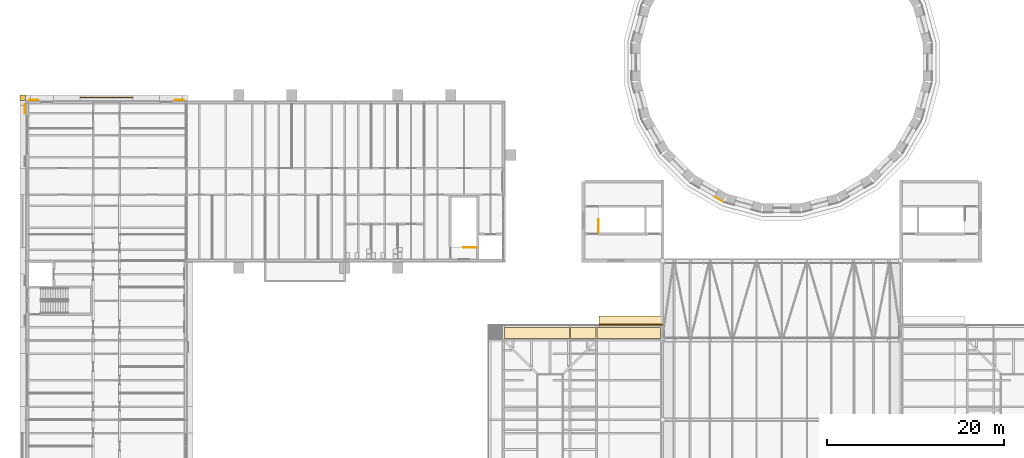
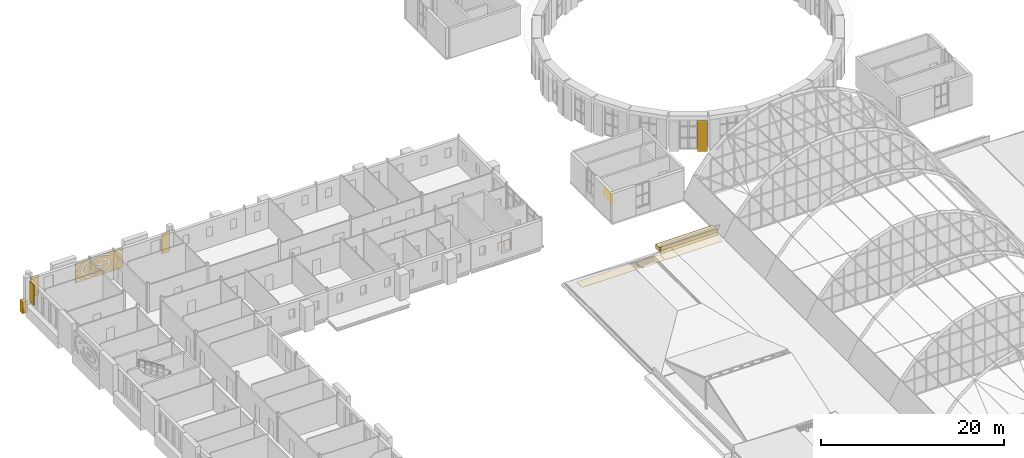
# One storey, part 119 of 121: 11 coverings, 2 railings.
"""IFC4 building model written with IfcOpenShell, lengths in metres."""

from ifc_helpers import new_model, si_unit, direction, frame, origin, origin_2d, place, context, subcontext, project, spatial, polyline, rectangle, circle, outline, extrude, material, layer, layer_set, type_object, element, save


model = new_model("IFC4")

# Units and contexts
model_context = context("Model", 3, precision=1e-05, world=origin(), true_north=direction((0.0, 1.0)))
body_context = subcontext(model_context, "Body", "Model", "MODEL_VIEW")
ifc_project = project(units=[si_unit("LENGTHUNIT", "METRE"), si_unit("AREAUNIT", "SQUARE_METRE"), si_unit("VOLUMEUNIT", "CUBIC_METRE"), si_unit("PLANEANGLEUNIT", "RADIAN"), si_unit("MASSUNIT", "GRAM", prefix="KILO")], contexts=[model_context])

# Site, building, storey
site_placement = place(None, origin())
site = spatial("IfcSite", under=ifc_project, at=site_placement, CompositionType="ELEMENT")
building_placement = place(site_placement, origin())
building = spatial("IfcBuilding", under=site, at=building_placement, Name="Golden Quay Civic Hall", CompositionType="ELEMENT")
storey_placement = place(building_placement, frame((0.0, 0.0, 18.60009765625)))
storey = spatial("IfcBuildingStorey", under=building, at=storey_placement, Name="L04", CompositionType="ELEMENT", Elevation=18.60009765625)

# Coverings
ifc_material_1 = material(Name="Aluminium, anodised", Category="aluminium")
ifc_layer_1 = layer(ifc_material_1, 0.02490234375)
ifc_layer_set_1 = layer_set([ifc_layer_1], Name="Aluminium soffit lining 25")
covering_type_1 = type_object("IfcCoveringType", Name="Aluminium soffit lining 25", PredefinedType="CEILING", material=ifc_layer_set_1)
covering_1_placement = place(storey_placement, frame((0.0, 0.0, -0.275146484375)))
element("IfcCovering", 1, at=covering_1_placement, inside=storey, type_object=covering_type_1, Name="Aluminium soffit lining 25 L04 2", PredefinedType="CEILING", context=body_context, shape_type="SweptSolid", body=[
    extrude(outline(polyline([(64.5673828125, 54.199951171875), (64.5673828125, 55.449951171875), (71.782470703125, 55.449951171875), (71.782470703125, 54.199951171875), (64.5673828125, 54.199951171875)])), origin(), (0.0, 0.0, 1.0), 0.025146484375),
])
covering_2_placement = place(storey_placement, frame((0.0, 0.0, -0.275146484375)))
element("IfcCovering", 2, at=covering_2_placement, inside=storey, type_object=covering_type_1, Name="Aluminium soffit lining 25 L04 3", PredefinedType="CEILING", context=body_context, shape_type="SweptSolid", body=[
    extrude(outline(polyline([(61.5673828125, 54.199951171875), (61.5673828125, 55.449951171875), (64.4326171875, 55.449951171875), (64.4326171875, 54.199951171875), (61.5673828125, 54.199951171875)])), origin(), (0.0, 0.0, 1.0), 0.025146484375),
])
covering_3_placement = place(storey_placement, frame((0.0, 0.0, -0.275146484375)))
element("IfcCovering", 3, at=covering_3_placement, inside=storey, type_object=covering_type_1, Name="Aluminium soffit lining 25 L04 4", PredefinedType="CEILING", context=body_context, shape_type="SweptSolid", body=[
    extrude(outline(polyline([(54.0673828125, 54.199951171875), (54.0673828125, 55.449951171875), (61.4326171875, 55.449951171875), (61.4326171875, 54.199951171875), (54.0673828125, 54.199951171875)])), origin(), (0.0, 0.0, 1.0), 0.025146484375),
])
ifc_material_2 = material(Name="Ceramic tile")
ifc_layer_2 = layer(ifc_material_2, 0.030029296875)
ifc_layer_set_2 = layer_set([ifc_layer_2], Name="Ceramic tile cladding, green glaze")
covering_type_2 = type_object("IfcCoveringType", Name="Ceramic tile cladding, green glaze", PredefinedType="CLADDING", material=ifc_layer_set_2)
covering_4_placement = place(storey_placement, frame((78.337646484375, 69.988037109375, -0.2001953125), z_axis=(0.0, 0.0, 1.0), x_axis=(0.866025403784, -0.5, 0.0)))
element("IfcCovering", 4, at=covering_4_placement, inside=storey, type_object=covering_type_2, Name="Drum cladding 16.2", PredefinedType="CLADDING", context=body_context, shape_type="SweptSolid", body=[
    extrude(rectangle(XDim=1.1064453125, YDim=0.030029296875, at=origin_2d()), origin(), (0.0, 0.0, 1.0), 4.199951171875),
])
ifc_material_3 = material(Name="Aluminium, golden anodised, perforated", Category="aluminium")
ifc_layer_3 = layer(ifc_material_3, 0.0400390625)
ifc_layer_set_3 = layer_set([ifc_layer_3], Name="Perforated screen panel 6000 x 2700 x 40")
covering_type_3 = type_object("IfcCoveringType", Name="Perforated screen panel 6000 x 2700 x 40", PredefinedType="CLADDING", material=ifc_layer_set_3)
covering_5_placement = place(storey_placement, frame((9.0, 81.5, 1.949951171875), z_axis=(0.0, 1.0, 0.0), x_axis=(-1.0, 0.0, 0.0)))
element("IfcCovering", 5, at=covering_5_placement, inside=storey, type_object=covering_type_3, Name="Perforated screen panel 6000 x 2700 x 40 L04 4", PredefinedType="CLADDING", context=body_context, shape_type="SweptSolid", body=[
    extrude(outline(polyline([(-3.0, -1.35009765625), (3.0, -1.35009765625), (3.0, 1.35009765625), (-3.0, 1.35009765625), (-3.0, -1.35009765625)]), holes=[polyline([(0.080810546875, 0.007080078125), (0.03125, 0.013671875), (-0.02001953125, 0.014404296875), (-0.0703125, 0.009033203125), (-0.11669921875, -0.001708984375), (-0.15673828125, -0.0166015625), (-0.20068359375, -0.04296875), (-0.222412109375, -0.066162109375), (-0.226806640625, -0.0751953125), (-0.226806640625, -0.084716796875), (-0.210205078125, -0.108642578125), (-0.17333984375, -0.135009765625), (-0.13720703125, -0.151611328125), (-0.093505859375, -0.16455078125), (-0.044921875, -0.172607421875), (0.006103515625, -0.1748046875), (0.056884765625, -0.1708984375), (0.1044921875, -0.161865234375), (0.146728515625, -0.14794921875), (0.1943359375, -0.121826171875), (0.2138671875, -0.104736328125), (0.22607421875, -0.086669921875), (0.22607421875, -0.073486328125), (0.21630859375, -0.056884765625), (0.423095703125, 0.073486328125), (0.45166015625, 0.02099609375), (0.463623046875, -0.014892578125), (0.470703125, -0.052490234375), (0.4716796875, -0.09130859375), (0.46728515625, -0.1298828125), (0.45703125, -0.1669921875), (0.441650390625, -0.202392578125), (0.413330078125, -0.246826171875), (0.3720703125, -0.2919921875), (0.333984375, -0.322509765625), (0.278564453125, -0.356201171875), (0.20751953125, -0.385986328125), (0.16259765625, -0.3994140625), (0.08544921875, -0.413818359375), (0.006103515625, -0.419189453125), (-0.073486328125, -0.415283203125), (-0.151611328125, -0.40185546875), (-0.21826171875, -0.382080078125), (-0.287353515625, -0.351318359375), (-0.328125, -0.32666015625), (-0.376953125, -0.287353515625), (-0.410888671875, -0.25), (-0.443115234375, -0.199462890625), (-0.462890625, -0.148193359375), (-0.4716796875, -0.089599609375), (-0.4677734375, -0.032958984375), (-0.450439453125, 0.023681640625), (-0.43310546875, 0.057861328125), (-0.41162109375, 0.089111328125), (-0.377685546875, 0.126708984375), (-0.320068359375, 0.172119140625), (-0.25439453125, 0.20751953125), (-0.1826171875, 0.23388671875), (-0.14501953125, 0.243408203125), (-0.074462890625, 0.255126953125), (0.01220703125, 0.259033203125), (0.08447265625, 0.25390625), (0.123291015625, 0.247802734375), (0.19873046875, 0.22900390625), (0.1298828125, -0.005615234375), (0.080810546875, 0.007080078125)]), polyline([(-0.646728515625, 0.451904296875), (-0.717041015625, 0.42041015625), (-0.78271484375, 0.385986328125), (-0.84326171875, 0.348876953125), (-0.898193359375, 0.309814453125), (-0.94775390625, 0.2685546875), (-0.9912109375, 0.22607421875), (-1.028564453125, 0.1826171875), (-1.059814453125, 0.138427734375), (-1.0849609375, 0.093994140625), (-1.10400390625, 0.049560546875), (-1.117431640625, 0.005126953125), (-1.125244140625, -0.038818359375), (-1.127685546875, -0.082763671875), (-1.12451171875, -0.126708984375), (-1.1162109375, -0.170654296875), (-1.10205078125, -0.215087890625), (-1.08203125, -0.259521484375), (-1.05615234375, -0.303955078125), (-1.0244140625, -0.347900390625), (-0.986083984375, -0.391357421875), (-0.94189453125, -0.433837890625), (-0.891845703125, -0.474609375), (-0.8359375, -0.513671875), (-0.77490234375, -0.55029296875), (-0.70849609375, -0.58447265625), (-0.6376953125, -0.615478515625), (-0.56298828125, -0.643310546875), (-0.484375, -0.667724609375), (-0.402587890625, -0.688720703125), (-0.318359375, -0.70556640625), (-0.23193359375, -0.718505859375), (-0.14404296875, -0.727294921875), (-0.055419921875, -0.73193359375), (0.03369140625, -0.732421875), (0.122802734375, -0.728759765625), (0.210693359375, -0.720947265625), (0.297607421875, -0.708984375), (0.382568359375, -0.693115234375), (0.46484375, -0.673095703125), (0.544189453125, -0.649658203125), (0.6201171875, -0.62255859375), (0.69189453125, -0.59228515625), (0.75927734375, -0.558837890625), (0.821533203125, -0.522705078125), (0.87890625, -0.484375), (0.930419921875, -0.44384765625), (0.97607421875, -0.40185546875), (1.015625, -0.358642578125), (1.049072265625, -0.314697265625), (1.076416015625, -0.270263671875), (1.09765625, -0.225830078125), (1.11328125, -0.181396484375), (1.123046875, -0.13720703125), (1.127197265625, -0.093505859375), (1.126220703125, -0.049560546875), (1.119873046875, -0.00537109375), (1.10791015625, 0.038818359375), (1.090087890625, 0.083251953125), (1.06640625, 0.127685546875), (1.03662109375, 0.171875), (1.000732421875, 0.215576171875), (0.958740234375, 0.25830078125), (0.910888671875, 0.2998046875), (0.857177734375, 0.339599609375), (0.7978515625, 0.377197265625), (0.7333984375, 0.412109375), (0.664306640625, 0.4443359375), (0.5908203125, 0.473388671875), (0.513427734375, 0.499267578125), (0.432861328125, 0.521484375), (0.349609375, 0.539794921875), (0.260986328125, 0.5546875), (0.301513671875, 0.795654296875), (0.39306640625, 0.7802734375), (0.488525390625, 0.759521484375), (0.587646484375, 0.732177734375), (0.671142578125, 0.704345703125), (0.757568359375, 0.67041015625), (0.840087890625, 0.632080078125), (0.92529296875, 0.585693359375), (0.998779296875, 0.538818359375), (1.059814453125, 0.49365234375), (1.122314453125, 0.440185546875), (1.17919921875, 0.3828125), (1.236328125, 0.31298828125), (1.279296875, 0.248046875), (1.30908203125, 0.192138671875), (1.33740234375, 0.122802734375), (1.357666015625, 0.051513671875), (1.370361328125, -0.0361328125), (1.371337890625, -0.10986328125), (1.36328125, -0.18310546875), (1.34619140625, -0.255126953125), (1.326171875, -0.312744140625), (1.287841796875, -0.39306640625), (1.247314453125, -0.457763671875), (1.206787109375, -0.510986328125), (1.145263671875, -0.578125), (1.0849609375, -0.633056640625), (1.026123046875, -0.67919921875), (0.947509765625, -0.732421875), (0.87109375, -0.776123046875), (0.797119140625, -0.812744140625), (0.70556640625, -0.8515625), (0.616943359375, -0.883056640625), (0.525146484375, -0.909912109375), (0.4306640625, -0.9326171875), (0.33984375, -0.94970703125), (0.2353515625, -0.964111328125), (0.1357421875, -0.972900390625), (0.035400390625, -0.976806640625), (-0.0595703125, -0.976318359375), (-0.159912109375, -0.97119140625), (-0.265380859375, -0.96044921875), (-0.357421875, -0.94677734375), (-0.453857421875, -0.927490234375), (-0.5537109375, -0.902099609375), (-0.638671875, -0.875732421875), (-0.726318359375, -0.84326171875), (-0.810302734375, -0.806640625), (-0.89013671875, -0.765869140625), (-0.96533203125, -0.72119140625), (-1.035400390625, -0.672607421875), (-1.10009765625, -0.6201171875), (-1.158935546875, -0.564208984375), (-1.21875, -0.49609375), (-1.264404296875, -0.43212890625), (-1.302490234375, -0.365234375), (-1.327880859375, -0.30859375), (-1.351318359375, -0.23779296875), (-1.367919921875, -0.15087890625), (-1.371826171875, -0.092041015625), (-1.368896484375, -0.018310546875), (-1.353515625, 0.069091796875), (-1.331298828125, 0.139892578125), (-1.30078125, 0.20849609375), (-1.262939453125, 0.2744140625), (-1.224853515625, 0.328369140625), (-1.173095703125, 0.389404296875), (-1.114990234375, 0.44677734375), (-1.043701171875, 0.506103515625), (-0.974365234375, 0.55517578125), (-0.899658203125, 0.6005859375), (-0.820556640625, 0.641845703125), (-0.737060546875, 0.678955078125), (-0.64990234375, 0.7119140625), (-0.565185546875, 0.73876953125), (-0.4912109375, 0.505859375), (-0.572509765625, 0.47998046875), (-0.646728515625, 0.451904296875)]), polyline([(-2.021484375, 0.0126953125), (-2.02734375, -0.059814453125), (-2.025634765625, -0.13232421875), (-2.0166015625, -0.204833984375), (-2.0, -0.277099609375), (-1.9755859375, -0.349365234375), (-1.943603515625, -0.4208984375), (-1.904052734375, -0.4921875), (-1.856689453125, -0.56201171875), (-1.801513671875, -0.630859375), (-1.73876953125, -0.697998046875), (-1.668701171875, -0.762939453125), (-1.591552734375, -0.82568359375), (-1.50732421875, -0.885498046875), (-1.416748046875, -0.9423828125), (-1.320068359375, -0.99560546875), (-1.21728515625, -1.045166015625), (-1.109619140625, -1.0908203125), (-0.996826171875, -1.132080078125), (-0.8798828125, -1.169189453125), (-0.759033203125, -1.201416015625), (-0.634765625, -1.22900390625), (-0.5078125, -1.251708984375), (-0.378662109375, -1.269287109375), (-0.247802734375, -1.281494140625), (-0.115966796875, -1.288818359375), (-0.032958984375, -1.2900390625), (-1.26611328125, -1.2900390625), (-1.43505859375, -1.211181640625), (-1.53759765625, -1.15478515625), (-1.64013671875, -1.0908203125), (-1.736328125, -1.0224609375), (-1.83203125, -0.94482421875), (-1.914306640625, -0.867919921875), (-1.9892578125, -0.787353515625), (-2.05615234375, -0.703125), (-2.11474609375, -0.61572265625), (-2.164794921875, -0.525390625), (-2.205322265625, -0.4326171875), (-2.2333984375, -0.349365234375), (-2.256103515625, -0.253662109375), (-2.26904296875, -0.156494140625), (-2.271728515625, -0.05908203125), (-2.262939453125, 0.05078125), (-2.24462890625, 0.147216796875), (-2.220458984375, 0.231201171875), (-1.985595703125, 0.1630859375), (-2.00830078125, 0.085205078125), (-2.021484375, 0.0126953125)]), polyline([(0.148681640625, -1.28759765625), (0.280517578125, -1.279052734375), (0.410888671875, -1.265380859375), (0.53955078125, -1.24658203125), (0.666015625, -1.22265625), (0.789306640625, -1.19384765625), (0.9091796875, -1.160400390625), (1.025390625, -1.122314453125), (1.13671875, -1.079833984375), (1.243408203125, -1.033203125), (1.344482421875, -0.982666015625), (1.43994140625, -0.928466796875), (1.52880859375, -0.870849609375), (1.611328125, -0.810302734375), (1.686767578125, -0.7470703125), (1.755126953125, -0.681396484375), (1.81591796875, -0.614013671875), (1.869140625, -0.544921875), (1.91455078125, -0.474609375), (1.952392578125, -0.4033203125), (1.982421875, -0.331298828125), (2.004638671875, -0.25927734375), (2.01953125, -0.186767578125), (2.02685546875, -0.1142578125), (2.026611328125, -0.041748046875), (2.018798828125, 0.03076171875), (2.003662109375, 0.103271484375), (1.98095703125, 0.17529296875), (1.950439453125, 0.247314453125), (1.912109375, 0.318603515625), (1.8662109375, 0.388671875), (1.812744140625, 0.457763671875), (1.75146484375, 0.525146484375), (1.682861328125, 0.5908203125), (1.60693359375, 0.65380859375), (1.524169921875, 0.714111328125), (1.434814453125, 0.771484375), (1.339111328125, 0.82568359375), (1.237548828125, 0.8759765625), (1.130615234375, 0.92236328125), (1.018798828125, 0.964599609375), (0.902587890625, 1.00244140625), (0.782470703125, 1.03564453125), (0.658935546875, 1.064208984375), (0.532470703125, 1.087646484375), (0.40380859375, 1.106201171875), (0.273193359375, 1.11962890625), (0.141357421875, 1.127685546875), (0.009033203125, 1.130859375), (-0.123291015625, 1.12841796875), (-0.255126953125, 1.12109375), (-0.385986328125, 1.1083984375), (-0.514892578125, 1.090576171875), (-0.641845703125, 1.067626953125), (-0.765869140625, 1.039794921875), (-0.886474609375, 1.007080078125), (-1.00341796875, 0.969970703125), (-1.11572265625, 0.928466796875), (-1.223388671875, 0.882568359375), (-1.32861328125, 0.831298828125), (-1.435546875, 1.051025390625), (-1.322021484375, 1.106201171875), (-1.203369140625, 1.156494140625), (-1.08544921875, 1.2001953125), (-0.952880859375, 1.242431640625), (-0.76708984375, 1.2900390625), (0.76708984375, 1.2900390625), (0.84521484375, 1.27197265625), (0.9755859375, 1.235595703125), (1.097412109375, 1.196044921875), (1.219970703125, 1.14990234375), (1.343505859375, 1.09619140625), (1.45068359375, 1.043212890625), (1.557861328125, 0.982666015625), (1.6591796875, 0.91796875), (1.754150390625, 0.848876953125), (1.848388671875, 0.7705078125), (1.92333984375, 0.69921875), (1.996826171875, 0.61865234375), (2.068115234375, 0.526611328125), (2.125, 0.438720703125), (2.173095703125, 0.347900390625), (2.212158203125, 0.254638671875), (2.24169921875, 0.159423828125), (2.259521484375, 0.074951171875), (2.270263671875, -0.022216796875), (2.271240234375, -0.119873046875), (2.26220703125, -0.21728515625), (2.242919921875, -0.31396484375), (2.214111328125, -0.4091796875), (2.17578125, -0.502685546875), (2.1279296875, -0.593505859375), (2.071533203125, -0.681884765625), (2.006591796875, -0.766845703125), (1.93359375, -0.848388671875), (1.853271484375, -0.92626953125), (1.75927734375, -1.0048828125), (1.664794921875, -1.07421875), (1.569580078125, -1.135498046875), (1.456787109375, -1.19970703125), (1.349853515625, -1.25341796875), (1.266357421875, -1.2900390625), (0.046142578125, -1.2900390625), (0.148681640625, -1.28759765625)]), polyline([(2.226318359375, -1.224365234375), (2.327880859375, -1.14794921875), (2.42236328125, -1.068603515625), (2.50927734375, -0.986572265625), (2.588134765625, -0.902099609375), (2.6591796875, -0.8154296875), (2.7216796875, -0.727294921875), (2.7763671875, -0.637451171875), (2.822509765625, -0.54638671875), (2.860107421875, -0.45458984375), (2.889404296875, -0.3623046875), (2.91064453125, -0.269287109375), (2.92333984375, -0.17626953125), (2.927734375, -0.0830078125), (2.923828125, 0.010498046875), (2.91162109375, 0.103515625), (2.89111328125, 0.196533203125), (2.8623046875, 0.2890625), (2.824951171875, 0.380859375), (2.779296875, 0.4716796875), (2.725341796875, 0.561767578125), (2.6630859375, 0.650146484375), (2.5927734375, 0.73681640625), (2.514404296875, 0.8212890625), (2.427978515625, 0.903564453125), (2.333984375, 0.983154296875), (2.23291015625, 1.059814453125), (2.12451171875, 1.133056640625), (2.00927734375, 1.20263671875), (1.843505859375, 1.2900390625), (2.32861328125, 1.2900390625), (2.377685546875, 1.256591796875), (2.489501953125, 1.171875), (2.588623046875, 1.087890625), (2.685791015625, 0.99560546875), (2.774658203125, 0.89990234375), (2.85546875, 0.80078125), (2.93994140625, 0.67919921875), (2.93994140625, -0.838623046875), (2.85595703125, -0.96044921875), (2.769287109375, -1.06591796875), (2.679931640625, -1.16162109375), (2.587890625, -1.24853515625), (2.538818359375, -1.2900390625), (2.12841796875, -1.2900390625), (2.226318359375, -1.224365234375)]), polyline([(-1.84375, 1.2900390625), (-1.999755859375, 1.2080078125), (-2.115478515625, 1.138671875), (-2.224365234375, 1.06591796875), (-2.326171875, 0.989501953125), (-2.420654296875, 0.91015625), (-2.5078125, 0.828125), (-2.586669921875, 0.74365234375), (-2.65771484375, 0.656982421875), (-2.720703125, 0.56884765625), (-2.775390625, 0.47900390625), (-2.821533203125, 0.38818359375), (-2.859619140625, 0.29638671875), (-2.88916015625, 0.2041015625), (-2.91015625, 0.111083984375), (-2.923095703125, 0.017822265625), (-2.927734375, -0.075439453125), (-2.923583984375, -0.174072265625), (-2.93994140625, -0.1748046875), (-2.93994140625, 0.6787109375), (-2.8544921875, 0.802490234375), (-2.767822265625, 0.90771484375), (-2.677978515625, 1.00341796875), (-2.5859375, 1.09033203125), (-2.475341796875, 1.18310546875), (-2.32861328125, 1.2900390625), (-1.84375, 1.2900390625)]), polyline([(-2.2333984375, -1.21923828125), (-2.12890625, -1.2900390625), (-2.28125, -1.2900390625), (-2.2333984375, -1.21923828125)])]), origin(), (0.0, 0.0, 1.0), 0.0400390625),
])

# Railings
ifc_material_4 = material(Name="Steel S355", Category="steel")
railing_type = type_object("IfcRailingType", Name="Steel guard 1100", PredefinedType="GUARDRAIL", material=ifc_material_4)
railing_1_placement = place(storey_placement, frame((64.75, 66.199951171875, 0.0)))
element("IfcRailing", 6, at=railing_1_placement, inside=storey, type_object=railing_type, Name="L04 CB-SW top well guard 1", PredefinedType="GUARDRAIL", context=body_context, shape_type="SweptSolid", body=[
    extrude(circle(Radius=0.02392578125, at=origin_2d()), frame((0.0, 0.0, 1.076171875), z_axis=(0.0, 1.0, 0.0), x_axis=(-1.0, 0.0, 0.0)), (0.0, 0.0, 1.0), 1.5),
    extrude(circle(Radius=0.02099609375, at=origin_2d()), origin(), (0.0, 0.0, 1.0), 1.052001953125),
    extrude(circle(Radius=0.02099609375, at=origin_2d()), frame((0.0, 0.75, 0.0)), (0.0, 0.0, 1.0), 1.052001953125),
    extrude(circle(Radius=0.02099609375, at=origin_2d()), frame((0.0, 1.5, 0.0)), (0.0, 0.0, 1.0), 1.052001953125),
])
railing_2_placement = place(storey_placement, frame((50.925048828125, 64.5, 0.0)))
element("IfcRailing", 7, at=railing_2_placement, inside=storey, type_object=railing_type, Name="L04 NW-E top well guard 1", PredefinedType="GUARDRAIL", context=body_context, shape_type="SweptSolid", body=[
    extrude(circle(Radius=0.02392578125, at=origin_2d()), frame((0.0, 0.0, 1.076171875), z_axis=(-1.0, 0.0, 0.0), x_axis=(0.0, -1.0, 0.0)), (0.0, 0.0, 1.0), 1.5),
    extrude(circle(Radius=0.02099609375, at=origin_2d()), origin(), (0.0, 0.0, 1.0), 1.052001953125),
    extrude(circle(Radius=0.02099609375, at=origin_2d()), frame((-0.75, 0.0, 0.0)), (0.0, 0.0, 1.0), 1.052001953125),
    extrude(circle(Radius=0.02099609375, at=origin_2d()), frame((-1.5, 0.0, 0.0)), (0.0, 0.0, 1.0), 1.052001953125),
])

# Coverings
ifc_material_5 = material(Name="Terracotta cladding, golden glaze", Category="masonry")
covering_type_4 = type_object("IfcCoveringType", Name="Terracotta cornice moulding 900 x 600", PredefinedType="MOLDING", material=ifc_material_5)
covering_6_placement = place(storey_placement, frame((0.0, 0.0, -0.35009765625)))
element("IfcCovering", 8, at=covering_6_placement, inside=storey, type_object=covering_type_4, Name="Terracotta cornice moulding 900 x 600 L04 1", PredefinedType="MOLDING", context=body_context, shape_type="SweptSolid", body=[
    extrude(outline(polyline([(72.0400390625, 55.85009765625), (64.800048828125, 55.85009765625), (64.800048828125, 56.75), (72.0400390625, 56.75), (72.0400390625, 55.85009765625)])), origin(), (0.0, 0.0, 1.0), 0.60009765625),
])
ifc_material_6 = material(Name="Terracotta cladding, golden glaze", Category="masonry")
covering_type_5 = type_object("IfcCoveringType", Name="Terracotta eave fascia 150 x 1000", PredefinedType="CLADDING", material=ifc_material_6)
covering_7_placement = place(storey_placement, frame((0.0, 0.0, -0.60009765625)))
element("IfcCovering", 9, at=covering_7_placement, inside=storey, type_object=covering_type_5, Name="Terracotta eave fascia 150 x 1000 L04 1", PredefinedType="CLADDING", context=body_context, shape_type="SweptSolid", body=[
    extrude(outline(polyline([(72.0400390625, 55.699951171875), (64.800048828125, 55.699951171875), (64.800048828125, 55.85009765625), (72.0400390625, 55.85009765625), (72.0400390625, 55.699951171875)])), origin(), (0.0, 0.0, 1.0), 1.0),
])
ifc_material_7 = material(Name="Terracotta cladding, golden glaze", Category="masonry")
ifc_layer_4 = layer(ifc_material_7, 0.050048828125)
ifc_layer_set_4 = layer_set([ifc_layer_4], Name="Terracotta solid panel 1050 x 2700 x 50")
covering_type_6 = type_object("IfcCoveringType", Name="Terracotta solid panel 1050 x 2700 x 50", PredefinedType="CLADDING", material=ifc_layer_set_4)
covering_8_placement = place(storey_placement, frame((0.0, 0.0, 0.89990234375)))
element("IfcCovering", 10, at=covering_8_placement, inside=storey, type_object=covering_type_6, Name="Terracotta solid panel 1050 x 2700 x 50 L04 7", PredefinedType="CLADDING", context=body_context, shape_type="SweptSolid", body=[
    extrude(outline(polyline([(-0.199951171875, 79.72509765625), (-0.199951171875, 80.77490234375), (-0.25, 80.77490234375), (-0.25, 79.72509765625), (-0.199951171875, 79.72509765625)])), origin(), (0.0, 0.0, 1.0), 2.699951171875),
])
covering_9_placement = place(storey_placement, frame((0.0, 0.0, 0.89990234375)))
element("IfcCovering", 11, at=covering_9_placement, inside=storey, type_object=covering_type_6, Name="Terracotta solid panel 1050 x 2700 x 50 L04 8", PredefinedType="CLADDING", context=body_context, shape_type="SweptSolid", body=[
    extrude(outline(polyline([(0.22509765625, 81.199951171875), (1.27490234375, 81.199951171875), (1.27490234375, 81.25), (0.22509765625, 81.25), (0.22509765625, 81.199951171875)])), origin(), (0.0, 0.0, 1.0), 2.699951171875),
])
covering_10_placement = place(storey_placement, frame((0.0, 0.0, 0.89990234375)))
element("IfcCovering", 12, at=covering_10_placement, inside=storey, type_object=covering_type_6, Name="Terracotta solid panel 1050 x 2700 x 50 L04 9", PredefinedType="CLADDING", context=body_context, shape_type="SweptSolid", body=[
    extrude(outline(polyline([(16.72509765625, 81.199951171875), (17.77490234375, 81.199951171875), (17.77490234375, 81.25), (16.72509765625, 81.25), (16.72509765625, 81.199951171875)])), origin(), (0.0, 0.0, 1.0), 2.699951171875),
])
ifc_material_8 = material(Name="Terracotta cladding, golden glaze", Category="masonry")
covering_type_7 = type_object("IfcCoveringType", Name="Terracotta spandrel fascia 600 x 1500", PredefinedType="CLADDING", material=ifc_material_8)
covering_11_placement = place(storey_placement, frame((0.0, 0.0, -0.900146484375)))
element("IfcCovering", 13, at=covering_11_placement, inside=storey, type_object=covering_type_7, Name="Terracotta spandrel fascia 600 x 1500 L04 1", PredefinedType="CLADDING", context=body_context, shape_type="SweptSolid", body=[
    extrude(outline(polyline([(-0.800048828125, 81.199951171875), (-0.800048828125, 81.800048828125), (-0.199951171875, 81.800048828125), (-0.199951171875, 81.199951171875), (-0.800048828125, 81.199951171875)])), origin(), (0.0, 0.0, 1.0), 1.5),
])

save(model, "model.ifc")
